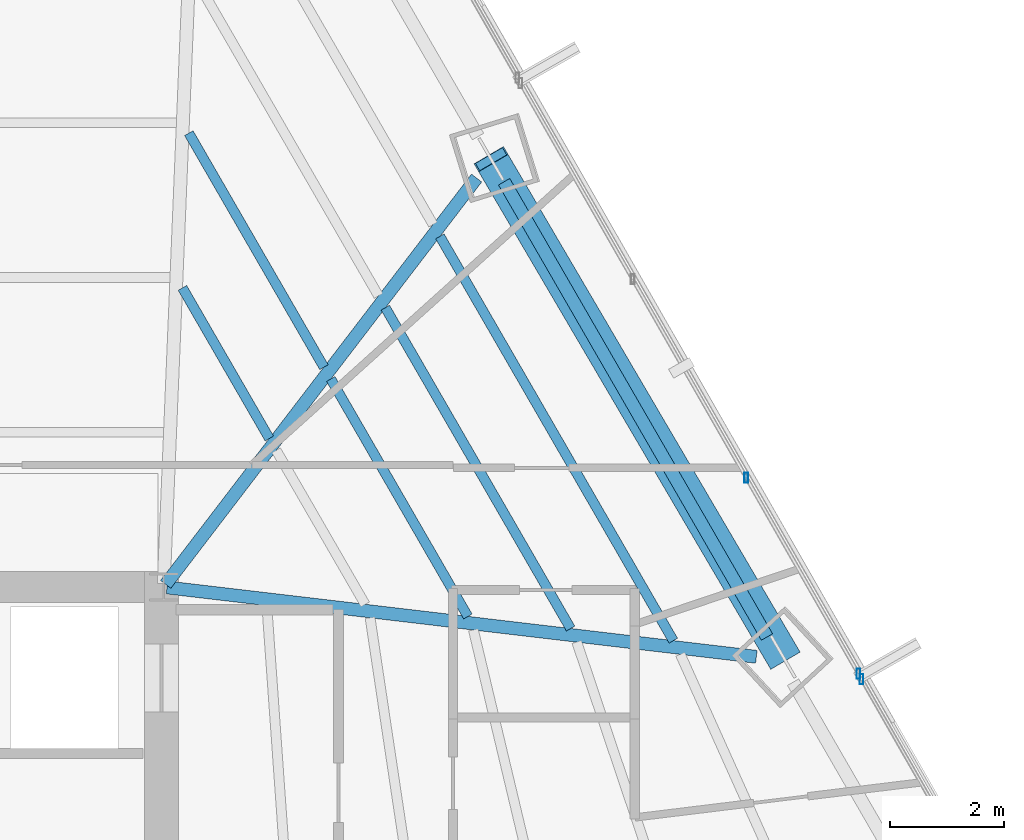
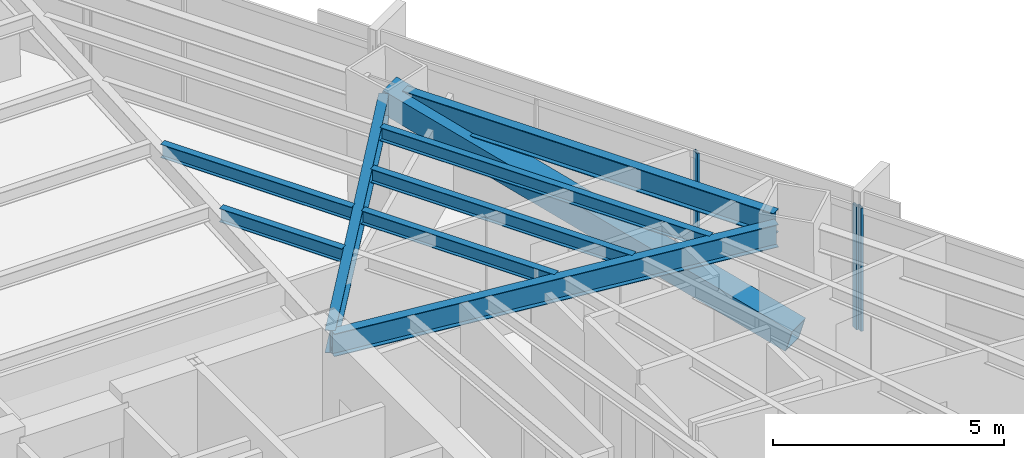
# One storey, part 22 of 39: 8 beams, 4 members, 2 elements without a shape of their own.
"""IFC4 building model written with IfcOpenShell, lengths in metres."""

import ifcopenshell
import ifcopenshell.guid

model = None  # the IFC model being written
_history = None  # IfcOwnerHistory: only IFC2X3 demands one
_inside = {}  # id of a spatial element -> (the spatial element, [elements in it])
_under = {}  # id of a project, library or spatial element -> (it, [spatial elements below it])
_declared = {}  # id of a project -> (the project, [libraries it declares])
_typed = {}  # id of a type object -> (the type object, [elements of that type])
_made_of = {}  # id of a material, layer set ... -> (it, [elements and type objects made of it])


def new_model(schema):
    """Start an empty IFC model of exactly this schema.

    Asked for "IFC4X3", IfcOpenShell would pick the latest addendum, in which some entities
    have other attributes; the version numbers below select the first issue.
    IFC2X3 requires an IfcOwnerHistory on every rooted entity: one is made here for all.
    """
    global model, _history
    if schema == "IFC4X3":
        model = ifcopenshell.file(schema_version=(4, 3, 0, 0))
    else:
        model = ifcopenshell.file(schema=schema)
    _inside.clear()
    _under.clear()
    _declared.clear()
    _typed.clear()
    _made_of.clear()
    _history = None
    if model.schema == "IFC2X3":
        org = make("IfcOrganization", Name="unknown")
        user = make(
            "IfcPersonAndOrganization",
            ThePerson=make("IfcPerson", FamilyName="unknown"),
            TheOrganization=org,
        )
        app = make(
            "IfcApplication",
            ApplicationDeveloper=org,
            Version="unknown",
            ApplicationFullName="unknown",
            ApplicationIdentifier="unknown",
        )
        _history = make(
            "IfcOwnerHistory",
            OwningUser=user,
            OwningApplication=app,
            ChangeAction="ADDED",
            CreationDate=0,
        )
    return model


def make(cls, **values):
    """One entity of the class cls with the attributes given. An attribute that is None is left unset."""
    return model.create_entity(
        cls, **{name: value for name, value in values.items() if value is not None}
    )


def rooted(cls, **values):
    """An entity with a GlobalId (a new one), such as an element, a storey or a relation."""
    return make(cls, GlobalId=ifcopenshell.guid.new(), OwnerHistory=_history, **values)


def si_unit(unit_type, name, prefix=None):
    """IfcSIUnit, for example si_unit("LENGTHUNIT", "METRE", prefix="MILLI")."""
    return make("IfcSIUnit", UnitType=unit_type, Prefix=prefix, Name=name)


def assignment(units):
    """IfcUnitAssignment: the units of a project."""
    return None if units is None else make("IfcUnitAssignment", Units=units)


def point(xyz):
    """IfcCartesianPoint."""
    return None if xyz is None else make("IfcCartesianPoint", Coordinates=xyz)


def direction(xyz):
    """IfcDirection."""
    return None if xyz is None else make("IfcDirection", DirectionRatios=xyz)


def frame(location, z_axis=None, x_axis=None):
    """IfcAxis2Placement3D, a coordinate frame: its origin and axes. An axis left out is left unset."""
    return make(
        "IfcAxis2Placement3D",
        Location=point(location),
        Axis=direction(z_axis),
        RefDirection=direction(x_axis),
    )


def frame_2d(location, x_axis=None):
    """IfcAxis2Placement2D, a coordinate frame in the plane: its origin and x axis."""
    return make(
        "IfcAxis2Placement2D", Location=point(location), RefDirection=direction(x_axis)
    )


def origin():
    """The frame at (0, 0, 0) with its axes left unset."""
    return frame((0.0, 0.0, 0.0))


def origin_2d():
    """The frame at (0, 0) in the plane with its x axis left unset."""
    return frame_2d((0.0, 0.0))


def place(relative_to, where):
    """IfcLocalPlacement: puts the frame where relative to a parent placement (None: the world)."""
    return make(
        "IfcLocalPlacement", PlacementRelTo=relative_to, RelativePlacement=where
    )


def context(
    kind, dimensions, precision=None, world=None, true_north=None, identifier=None
):
    """IfcGeometricRepresentationContext, for example the 3D "Model" context."""
    return make(
        "IfcGeometricRepresentationContext",
        ContextIdentifier=identifier,
        ContextType=kind,
        CoordinateSpaceDimension=dimensions,
        Precision=precision,
        WorldCoordinateSystem=world,
        TrueNorth=true_north,
    )


def subcontext(parent, identifier, kind, view, scale=None):
    """IfcGeometricRepresentationSubContext, for example "Body" below "Model"."""
    return make(
        "IfcGeometricRepresentationSubContext",
        ContextIdentifier=identifier,
        ContextType=kind,
        ParentContext=parent,
        TargetScale=scale,
        TargetView=view,
    )


def project(units=None, contexts=None):
    """IfcProject with its units and contexts."""
    return rooted(
        "IfcProject",
        Name="project",
        RepresentationContexts=contexts,
        UnitsInContext=assignment(units),
    )


def spatial(cls, under=None, at=None, **own):
    """A site, building, storey or space (cls), placed at a placement, below another one or the project."""
    s = rooted(cls, ObjectPlacement=at, **own)
    if under is not None:
        _under.setdefault(under.id(), (under, []))[1].append(s)
    return s


def profile(cls, at=None, kind="AREA", **sizes):
    """A parametric profile (cls). Its sizes go by their IFC names, for example OverallWidth=200.0."""
    return make(cls, ProfileType=kind, Position=at, **sizes)


def hollow_rectangle(**sizes):
    """IfcRectangleHollowProfileDef."""
    return profile("IfcRectangleHollowProfileDef", **sizes)


def i_section(**sizes):
    """IfcIShapeProfileDef."""
    return profile("IfcIShapeProfileDef", **sizes)


def extrude(swept, where, along, depth):
    """IfcExtrudedAreaSolid: the profile swept, set in the frame where, extruded along a direction by depth."""
    return make(
        "IfcExtrudedAreaSolid",
        SweptArea=swept,
        Position=where,
        ExtrudedDirection=direction(along),
        Depth=depth,
    )


def shape(context_of_items, identifier, shape_type, items):
    """IfcShapeRepresentation: the items that make up one representation, for example the "Body"."""
    return make(
        "IfcShapeRepresentation",
        ContextOfItems=context_of_items,
        RepresentationIdentifier=identifier,
        RepresentationType=shape_type,
        Items=items,
    )


def source(mapping_origin, context_of_items, identifier, shape_type, items):
    """IfcRepresentationMap: a shape defined once, which mapped items show again and again."""
    return make(
        "IfcRepresentationMap",
        MappingOrigin=mapping_origin,
        MappedRepresentation=shape(context_of_items, identifier, shape_type, items),
    )


def transform(
    local_origin,
    x_axis=None,
    y_axis=None,
    z_axis=None,
    scale=None,
    scale2=None,
    scale3=None,
    uniform=True,
):
    """IfcCartesianTransformationOperator3D, or its non-uniform kind. x_axis, y_axis, z_axis: its Axis1, 2, 3."""
    if uniform:
        return make(
            "IfcCartesianTransformationOperator3D",
            Axis1=direction(x_axis),
            Axis2=direction(y_axis),
            LocalOrigin=point(local_origin),
            Scale=scale,
            Axis3=direction(z_axis),
        )
    return make(
        "IfcCartesianTransformationOperator3DnonUniform",
        Axis1=direction(x_axis),
        Axis2=direction(y_axis),
        LocalOrigin=point(local_origin),
        Scale=scale,
        Axis3=direction(z_axis),
        Scale2=scale2,
        Scale3=scale3,
    )


def mapped(mapping_source, mapping_target):
    """IfcMappedItem: shows the shape of a source again, moved by a transform."""
    return make(
        "IfcMappedItem", MappingSource=mapping_source, MappingTarget=mapping_target
    )


def material(Name=None, Category=None):
    """IfcMaterial."""
    return make("IfcMaterial", Name=Name, Category=Category)


def material_profile(
    of_material, cross_section, Name=None, Category=None, Priority=None
):
    """IfcMaterialProfile: a cross section and its material."""
    return make(
        "IfcMaterialProfile",
        Name=Name,
        Material=of_material,
        Profile=cross_section,
        Priority=Priority,
        Category=Category,
    )


def profile_set(profiles, Name=None, composite=None):
    """IfcMaterialProfileSet."""
    return make(
        "IfcMaterialProfileSet",
        Name=Name,
        MaterialProfiles=profiles,
        CompositeProfile=composite,
    )


def made_of(thing, what):
    """Note that an element or type object is made of a material, layer set ...; save() writes the relation."""
    if what is not None:
        _made_of.setdefault(what.id(), (what, []))[1].append(thing)
    return thing


def type_object(cls, material=None, **own):
    """A type object (cls), such as IfcWallType, which elements share."""
    return made_of(rooted(cls, **own), material)


def type_shapes(of_type, sources):
    """Give a type object the sources (RepresentationMaps) that its elements show as mapped items."""
    of_type.RepresentationMaps = sources


def element(
    cls,
    number,
    at=None,
    inside=None,
    cuts=None,
    type_object=None,
    material=None,
    context=None,
    identifier="Body",
    shape_type=None,
    held_by="IfcProductDefinitionShape",
    body=None,
    shapes=None,
    **own,
):
    """One element of the class cls, such as IfcWall. Its Tag is "e" and its number.

    at: its placement. inside: the storey or other place that contains it. cuts: it is an
    opening in that element (IfcRelVoidsElement). A single representation is given by context,
    identifier, shape_type and body (its items); several are given by shapes. held_by: the class
    of the entity that holds the representations. save() writes the other relations.
    """
    e = rooted(cls, Tag="e%d" % number, ObjectPlacement=at, **own)
    if body is not None:
        shapes = [shape(context, identifier, shape_type, body)]
    if shapes is not None:
        e.Representation = make(held_by, Representations=shapes)
    if inside is not None:
        _inside.setdefault(inside.id(), (inside, []))[1].append(e)
    if cuts is not None:
        rooted(
            "IfcRelVoidsElement", RelatingBuildingElement=cuts, RelatedOpeningElement=e
        )
    if type_object is not None:
        _typed.setdefault(type_object.id(), (type_object, []))[1].append(e)
    return made_of(e, material)


def aggregate(whole, parts):
    """IfcRelAggregates: a whole, such as a stair, and the parts it consists of."""
    return rooted("IfcRelAggregates", RelatingObject=whole, RelatedObjects=parts)


def save(model, path):
    """Write the relations noted so far, then the file.

    IfcRelAggregates (storeys below a building ...), IfcRelContainedInSpatialStructure (elements
    in a storey), IfcRelDefinesByType, IfcRelAssociatesMaterial and IfcRelDeclares: one each for
    every whole, place, type object, material and project.
    """
    for whole, parts in _under.values():
        aggregate(whole, parts)
    for where, things in _inside.values():
        rooted(
            "IfcRelContainedInSpatialStructure",
            RelatedElements=things,
            RelatingStructure=where,
        )
    for kind, things in _typed.values():
        rooted("IfcRelDefinesByType", RelatedObjects=things, RelatingType=kind)
    for what, things in _made_of.values():
        rooted("IfcRelAssociatesMaterial", RelatedObjects=things, RelatingMaterial=what)
    for by, libraries in _declared.values():
        rooted("IfcRelDeclares", RelatingContext=by, RelatedDefinitions=libraries)
    model.write(path)


model = new_model("IFC4")

# Units and contexts
model_context = context("Model", 3, precision=1e-05, world=origin(), true_north=direction((0.0, 1.0)))
body_context = subcontext(model_context, "Body", "Model", "MODEL_VIEW")
ifc_project = project(units=[si_unit("LENGTHUNIT", "METRE"), si_unit("AREAUNIT", "SQUARE_METRE"), si_unit("VOLUMEUNIT", "CUBIC_METRE"), si_unit("PLANEANGLEUNIT", "RADIAN"), si_unit("MASSUNIT", "GRAM", prefix="KILO")], contexts=[model_context])

# Site, building, storey
site_placement = place(None, origin())
site = spatial("IfcSite", under=ifc_project, at=site_placement, CompositionType="ELEMENT")
building_placement = place(site_placement, origin())
building = spatial("IfcBuilding", under=site, at=building_placement, Name="Caelisora Broadcast Tower", CompositionType="ELEMENT")
storey_placement = place(building_placement, frame((0.0, 0.0, 71.39990234375)))
storey = spatial("IfcBuildingStorey", under=building, at=storey_placement, Name="L18", CompositionType="ELEMENT", Elevation=71.39990234375)

# Beams
ifc_material_1 = material(Name="Steel Grade 350 (AS/NZS 3679.1)", Category="steel")
ifc_material_profile_1 = material_profile(ifc_material_1, i_section(OverallWidth=0.22900390625, OverallDepth=0.611572265625, WebThickness=0.011962890625, FlangeThickness=0.01953125, at=origin_2d()), Name="Steel Grade 350 (AS/NZS 3679.1)")
ifc_profile_set_1 = profile_set([ifc_material_profile_1], Name="Steel Grade 350 (AS/NZS 3679.1)")
beam_type_1 = type_object("IfcBeamType", Name="PG03", PredefinedType="BEAM", material=ifc_profile_set_1)
shared_shape_1 = source(origin(), body_context, "Body", "SweptSolid", [
    extrude(i_section(OverallWidth=0.22900390625, OverallDepth=0.611572265625, WebThickness=0.011962890625, FlangeThickness=0.01953125, at=origin_2d()), origin(), (0.0, 0.0, 1.0), 9.2607421875),
])
type_shapes(beam_type_1, [shared_shape_1])
beam_1_placement = place(storey_placement, frame((56.12890625, 29.1201171875, 2.9443359375), z_axis=(-0.5000008632, 0.866024905415, 0.0), x_axis=(-0.866024905415, -0.5000008632, 0.0)))
element("IfcBeam", 1, at=beam_1_placement, inside=storey, type_object=beam_type_1, Name="L18 beam PG03", PredefinedType="BEAM", context=body_context, shape_type="MappedRepresentation", body=[
    mapped(shared_shape_1, transform((0.0, 0.0, 0.0), scale=1.0)),
])
ifc_material_profile_2 = material_profile(ifc_material_1, i_section(OverallWidth=0.22802734375, OverallDepth=0.602294921875, WebThickness=0.010498046875, FlangeThickness=0.014892578125, at=origin_2d()), Name="Steel Grade 350 (AS/NZS 3679.1)")
ifc_profile_set_2 = profile_set([ifc_material_profile_2], Name="Steel Grade 350 (AS/NZS 3679.1)")
beam_type_2 = type_object("IfcBeamType", Name="PG04", PredefinedType="BEAM", material=ifc_profile_set_2)
shared_shape_2 = source(origin(), body_context, "Body", "SweptSolid", [
    extrude(i_section(OverallWidth=0.22802734375, OverallDepth=0.602294921875, WebThickness=0.010498046875, FlangeThickness=0.014892578125, at=origin_2d()), origin(), (0.0, 0.0, 1.0), 9.012451171875),
])
beam_2_placement = place(storey_placement, frame((45.53662109375, 30.047607421875, 2.948974609375), z_axis=(0.607674312064, 0.794186332328, 0.0), x_axis=(-0.794186332328, 0.607674312064, 0.0)))
element("IfcBeam", 2, at=beam_2_placement, inside=storey, type_object=beam_type_2, Name="L18 beam PG04", PredefinedType="BEAM", context=body_context, shape_type="MappedRepresentation", body=[
    mapped(shared_shape_2, transform((0.0, 0.0, 0.0), scale=1.0)),
])
shared_shape_3 = source(origin(), body_context, "Body", "SweptSolid", [
    extrude(i_section(OverallWidth=0.22802734375, OverallDepth=0.602294921875, WebThickness=0.010498046875, FlangeThickness=0.014892578125, at=origin_2d()), origin(), (0.0, 0.0, 1.0), 10.4541015625),
])
type_shapes(beam_type_2, [shared_shape_2, shared_shape_3])
beam_3_placement = place(storey_placement, frame((45.5595703125, 29.992919921875, 2.948974609375), z_axis=(0.99314263144, -0.116908997154, 0.0), x_axis=(0.116908997154, 0.99314263144, 0.0)))
element("IfcBeam", 3, at=beam_3_placement, inside=storey, type_object=beam_type_2, Name="L18 beam PG04", PredefinedType="BEAM", context=body_context, shape_type="MappedRepresentation", body=[
    mapped(shared_shape_3, transform((0.0, 0.0, 0.0), scale=1.0)),
])
ifc_material_profile_3 = material_profile(ifc_material_1, i_section(OverallWidth=0.172119140625, OverallDepth=0.358642578125, WebThickness=0.008056640625, FlangeThickness=0.012939453125, at=origin_2d()), Name="Steel Grade 350 (AS/NZS 3679.1)")
ifc_profile_set_3 = profile_set([ifc_material_profile_3], Name="Steel Grade 350 (AS/NZS 3679.1)")
beam_type_3 = type_object("IfcBeamType", Name="SB02", PredefinedType="JOIST", material=ifc_profile_set_3)
shared_shape_4 = source(origin(), body_context, "Body", "SweptSolid", [
    extrude(i_section(OverallWidth=0.172119140625, OverallDepth=0.358642578125, WebThickness=0.008056640625, FlangeThickness=0.012939453125, at=origin_2d()), origin(), (0.0, 0.0, 1.0), 3.063232421875),
])
beam_4_placement = place(storey_placement, frame((47.362548828125, 32.6171875, 3.07080078125), z_axis=(-0.499970827278, 0.866042246008, 0.0), x_axis=(-0.866042246008, -0.499970827278, 0.0)))
element("IfcBeam", 4, at=beam_4_placement, inside=storey, type_object=beam_type_3, Name="L18 beam SB02", PredefinedType="JOIST", context=body_context, shape_type="MappedRepresentation", body=[
    mapped(shared_shape_4, transform((0.0, 0.0, 0.0), scale=1.0)),
])
shared_shape_5 = source(origin(), body_context, "Body", "SweptSolid", [
    extrude(i_section(OverallWidth=0.172119140625, OverallDepth=0.358642578125, WebThickness=0.008056640625, FlangeThickness=0.012939453125, at=origin_2d()), origin(), (0.0, 0.0, 1.0), 4.76025390625),
])
beam_5_placement = place(storey_placement, frame((48.323974609375, 33.87353515625, 3.07080078125), z_axis=(-0.499956277081, 0.866050645752, 0.0), x_axis=(-0.866050645752, -0.499956277081, 0.0)))
element("IfcBeam", 5, at=beam_5_placement, inside=storey, type_object=beam_type_3, Name="L18 beam SB02", PredefinedType="JOIST", context=body_context, shape_type="MappedRepresentation", body=[
    mapped(shared_shape_5, transform((0.0, 0.0, 0.0), scale=1.0)),
])
shared_shape_6 = source(origin(), body_context, "Body", "SweptSolid", [
    extrude(i_section(OverallWidth=0.172119140625, OverallDepth=0.358642578125, WebThickness=0.008056640625, FlangeThickness=0.012939453125, at=origin_2d()), origin(), (0.0, 0.0, 1.0), 4.83056640625),
])
beam_6_placement = place(storey_placement, frame((50.85986328125, 29.4814453125, 3.07080078125), z_axis=(-0.500003909511, 0.866023146616, 0.0), x_axis=(-0.866023146616, -0.500003909511, 0.0)))
element("IfcBeam", 6, at=beam_6_placement, inside=storey, type_object=beam_type_3, Name="L18 beam SB02", PredefinedType="JOIST", context=body_context, shape_type="MappedRepresentation", body=[
    mapped(shared_shape_6, transform((0.0, 0.0, 0.0), scale=1.0)),
])
shared_shape_7 = source(origin(), body_context, "Body", "SweptSolid", [
    extrude(i_section(OverallWidth=0.172119140625, OverallDepth=0.358642578125, WebThickness=0.008056640625, FlangeThickness=0.012939453125, at=origin_2d()), origin(), (0.0, 0.0, 1.0), 6.527587890625),
])
beam_7_placement = place(storey_placement, frame((52.669677734375, 29.268310546875, 3.07080078125), z_axis=(-0.499984698463, 0.86603423795, 0.0), x_axis=(-0.86603423795, -0.499984698463, 0.0)))
element("IfcBeam", 7, at=beam_7_placement, inside=storey, type_object=beam_type_3, Name="L18 beam SB02", PredefinedType="JOIST", context=body_context, shape_type="MappedRepresentation", body=[
    mapped(shared_shape_7, transform((0.0, 0.0, 0.0), scale=1.0)),
])
shared_shape_8 = source(origin(), body_context, "Body", "SweptSolid", [
    extrude(i_section(OverallWidth=0.172119140625, OverallDepth=0.358642578125, WebThickness=0.008056640625, FlangeThickness=0.012939453125, at=origin_2d()), origin(), (0.0, 0.0, 1.0), 8.224365234375),
])
type_shapes(beam_type_3, [shared_shape_4, shared_shape_5, shared_shape_6, shared_shape_7, shared_shape_8])
beam_8_placement = place(storey_placement, frame((54.4794921875, 29.05517578125, 3.07080078125), z_axis=(-0.500008532388, 0.866020477552, 0.0), x_axis=(-0.866020477552, -0.500008532388, 0.0)))
element("IfcBeam", 8, at=beam_8_placement, inside=storey, type_object=beam_type_3, Name="L18 beam SB02", PredefinedType="JOIST", context=body_context, shape_type="MappedRepresentation", body=[
    mapped(shared_shape_8, transform((0.0, 0.0, 0.0), scale=1.0)),
])

# Member
ifc_material_2 = material(Name="Steel Grade 450 L15 (AS/NZS 3678)", Category="steel")
ifc_material_profile_4 = material_profile(ifc_material_2, hollow_rectangle(XDim=0.60009765625, YDim=0.60009765625, WallThickness=0.02490234375, at=origin_2d()), Name="Steel Grade 450 L15 (AS/NZS 3678)")
ifc_profile_set_4 = profile_set([ifc_material_profile_4], Name="Steel Grade 450 L15 (AS/NZS 3678)")
member_type_1 = type_object("IfcMemberType", Name="BR01", PredefinedType="BRACE", material=ifc_profile_set_4)
shared_shape_9 = source(origin(), body_context, "Body", "SweptSolid", [
    extrude(hollow_rectangle(XDim=0.60009765625, YDim=0.60009765625, WallThickness=0.02490234375, at=origin_2d()), origin(), (0.0, 0.0, 1.0), 10.556640625),
])
type_shapes(member_type_1, [shared_shape_9])
member_1_placement = place(storey_placement, frame((56.413330078125, 28.77197265625, 0.10009765625), z_axis=(-0.487344402048, 0.830425795508, 0.269978576829), x_axis=(-0.862451796536, -0.506139208767, 0.0)))
element("IfcMember", 9, at=member_1_placement, inside=storey, type_object=member_type_1, Name="L18 perimeter brace BR01", PredefinedType="BRACE", context=body_context, shape_type="MappedRepresentation", body=[
    mapped(shared_shape_9, transform((0.0, 0.0, 0.0), scale=1.0)),
])

# Curtain wall, members
ifc_material_3 = material(Name="Unitised Aluminium Insulated Shadow-Box Spandrel Curtain Wall", Category="aluminium")
curtain_wall_type_1 = type_object("IfcCurtainWallType", Name="CW-SP1", PredefinedType="NOTDEFINED", material=ifc_material_3)
curtain_wall_1_placement = place(storey_placement, origin())
curtain_wall_1 = element("IfcCurtainWall", 10, at=curtain_wall_1_placement, inside=storey, type_object=curtain_wall_type_1, Name="L18 curtain wall CW-SP1", PredefinedType="NOTDEFINED")
ifc_material_4 = material(Name="Aluminium 6063-T6 Anodised Terracotta Bronze", Category="aluminium")
ifc_material_profile_5 = material_profile(ifc_material_4, hollow_rectangle(XDim=0.06494140625, YDim=0.179931640625, WallThickness=0.00341796875, at=origin_2d()), Name="Aluminium 6063-T6 Anodised Terracotta Bronze")
ifc_profile_set_5 = profile_set([ifc_material_profile_5], Name="Aluminium 6063-T6 Anodised Terracotta Bronze")
member_type_2 = type_object("IfcMemberType", Name="CWM-02", PredefinedType="MULLION", material=ifc_profile_set_5)
shared_shape_10 = source(origin(), body_context, "Body", "SweptSolid", [
    extrude(hollow_rectangle(XDim=0.06494140625, YDim=0.179931640625, WallThickness=0.00341796875, at=origin_2d()), origin(), (0.0, 0.0, 1.0), 3.25),
])
type_shapes(member_type_2, [shared_shape_10])
member_2_placement = place(storey_placement, frame((55.76513671875, 31.92578125, 0.0), z_axis=(0.0, 0.0, 1.0), x_axis=(1.0, 0.0, 0.0)))
member_2 = element("IfcMember", 11, at=member_2_placement, type_object=member_type_2, Name="L18-CW-B02 mullion #2", PredefinedType="MULLION", context=body_context, shape_type="MappedRepresentation", body=[
    mapped(shared_shape_10, transform((0.0, 0.0, 0.0), scale=1.0)),
])
member_3_placement = place(storey_placement, frame((57.7412109375, 28.4716796875, 0.0), z_axis=(0.0, 0.0, 1.0), x_axis=(1.0, 0.0, 0.0)))
member_3 = element("IfcMember", 12, at=member_3_placement, type_object=member_type_2, Name="L18-CW-B02 mullion #3", PredefinedType="MULLION", context=body_context, shape_type="MappedRepresentation", body=[
    mapped(shared_shape_10, transform((0.0, 0.0, 0.0), scale=1.0)),
])
aggregate(curtain_wall_1, [member_2, member_3])

# Curtain wall, member
ifc_material_5 = material(Name="Unitised Aluminium and Low-E Glass Curtain Wall", Category="glass")
curtain_wall_type_2 = type_object("IfcCurtainWallType", Name="CW-Z1", PredefinedType="NOTDEFINED", material=ifc_material_5)
curtain_wall_2_placement = place(storey_placement, origin())
curtain_wall_2 = element("IfcCurtainWall", 13, at=curtain_wall_2_placement, inside=storey, type_object=curtain_wall_type_2, Name="L18 curtain wall CW-Z1", PredefinedType="NOTDEFINED")
member_4_placement = place(storey_placement, frame((57.7958984375, 28.376220703125, 0.0), z_axis=(0.0, 0.0, 1.0), x_axis=(1.0, 0.0, 0.0)))
member_4 = element("IfcMember", 14, at=member_4_placement, type_object=member_type_2, Name="L18-CW-B03 mullion #0", PredefinedType="MULLION", context=body_context, shape_type="MappedRepresentation", body=[
    mapped(shared_shape_10, transform((0.0, 0.0, 0.0), scale=1.0)),
])
aggregate(curtain_wall_2, [member_4])

save(model, "model.ifc")
